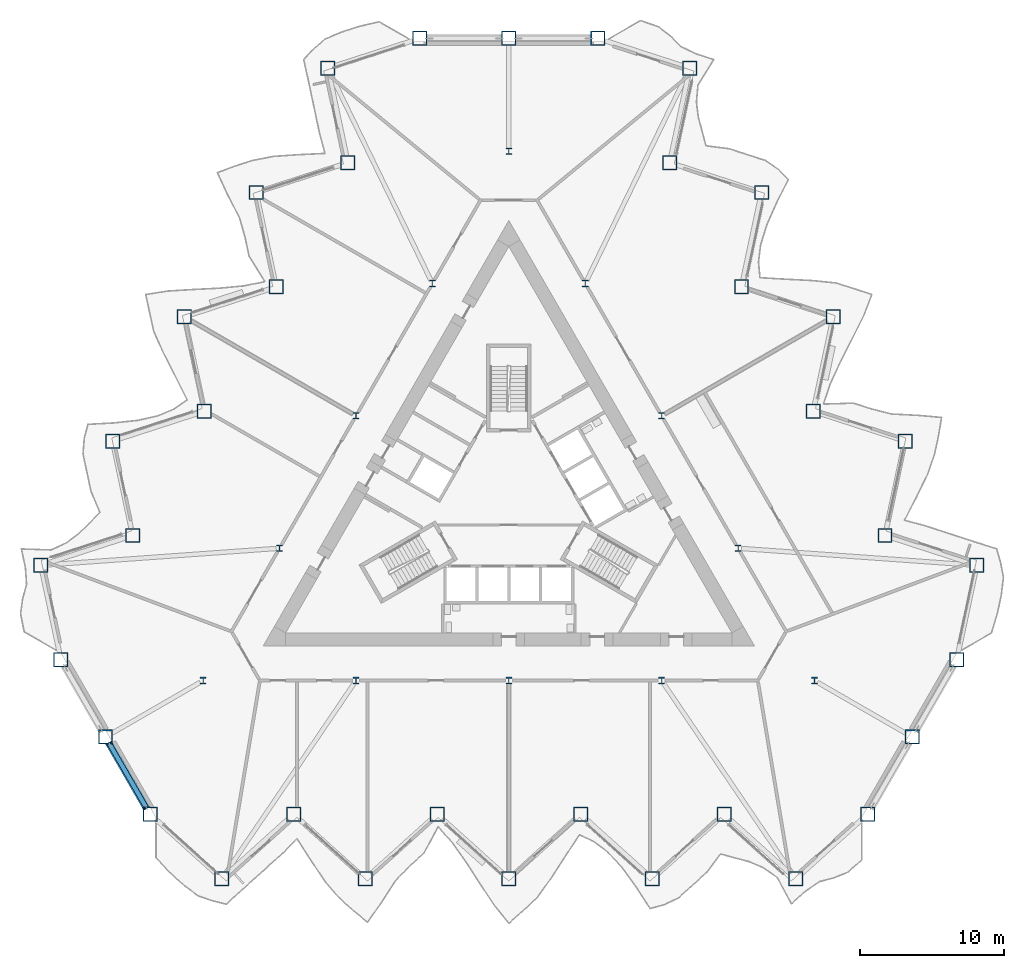
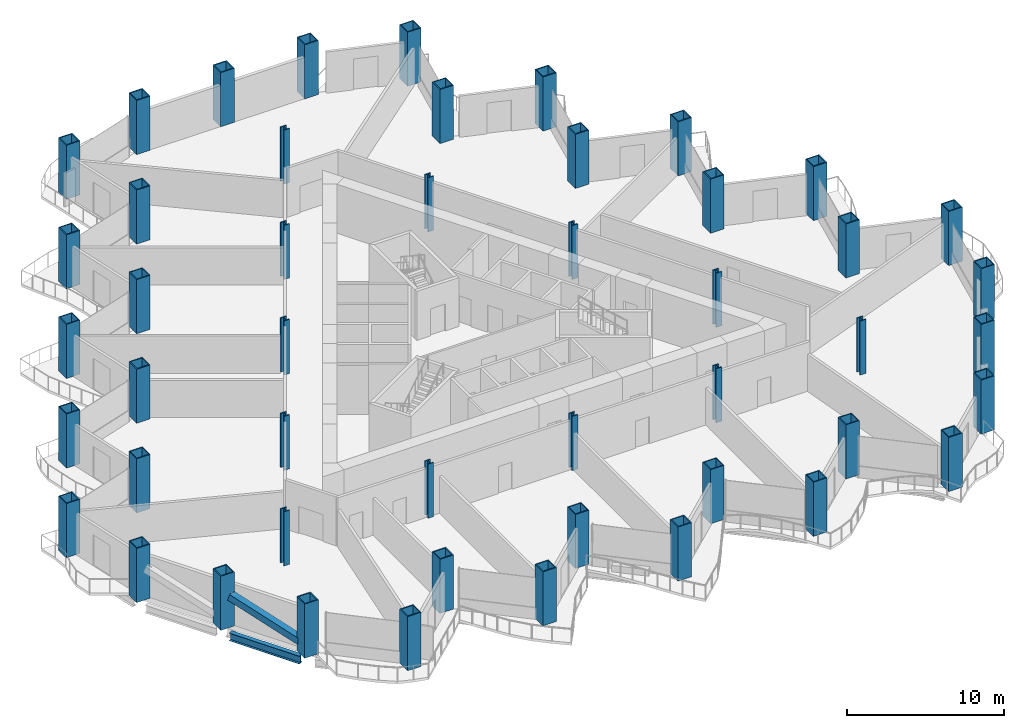
# One storey, part 1 of 20: 48 columns, 1 beam, 1 member.
"""IFC4 building model written with IfcOpenShell, lengths in metres."""

from ifc_helpers import new_model, si_unit, direction, frame, origin, origin_2d, place, context, subcontext, project, spatial, hollow_rectangle, i_section, extrude, material, material_profile, profile_set, type_object, element, save


model = new_model("IFC4")

# Units and contexts
model_context = context("Model", 3, precision=1e-05, world=origin(), true_north=direction((0.0, 1.0)))
body_context = subcontext(model_context, "Body", "Model", "MODEL_VIEW")
ifc_project = project(units=[si_unit("LENGTHUNIT", "METRE"), si_unit("AREAUNIT", "SQUARE_METRE"), si_unit("VOLUMEUNIT", "CUBIC_METRE"), si_unit("PLANEANGLEUNIT", "RADIAN"), si_unit("MASSUNIT", "GRAM", prefix="KILO")], contexts=[model_context])

# Site, building, storey
site_placement = place(None, origin())
site = spatial("IfcSite", under=ifc_project, at=site_placement, CompositionType="ELEMENT")
building_placement = place(site_placement, origin())
building = spatial("IfcBuilding", under=site, at=building_placement, Name="Cormorant Prow Tower", CompositionType="ELEMENT")
storey_placement = place(building_placement, frame((0.0, 0.0, 59.39990234375)))
storey = spatial("IfcBuildingStorey", under=building, at=storey_placement, Name="L12", CompositionType="ELEMENT", Elevation=59.39990234375)

# Columns
ifc_material_1 = material(Name="Structural steel ASTM A572 Gr 50", Category="steel")
ifc_material_profile_1 = material_profile(ifc_material_1, hollow_rectangle(XDim=1.0, YDim=1.0, WallThickness=0.070068359375, at=origin_2d()), Name="Box 1000x1000x70")
ifc_profile_set_1 = profile_set([ifc_material_profile_1], Name="Structural steel ASTM A572 Gr 50")
column_type_1 = type_object("IfcColumnType", Name="Perimeter box column 1000x1000x70", PredefinedType="COLUMN", material=ifc_profile_set_1)
for number, where, z_axis, x_axis, name in (
    (1, (-24.830322265625, -21.4599609375, 0.0), (0.0, 0.0, 1.0), (1.0, 0.0, 0.0), "Perimeter column C2 at S00 L12"),
    (2, (-19.8642578125, -25.931396484375, 0.0), (0.0, 0.0, 1.0), (1.0, 0.0, 0.0), "Perimeter column C2 at S01 L12"),
    (3, (-14.898193359375, -21.4599609375, 0.0), (0.0, 0.0, 1.0), (1.0, 0.0, 0.0), "Perimeter column C2 at S02 L12"),
    (4, (-9.93212890625, -25.931396484375, 0.0), (0.0, 0.0, 1.0), (1.0, 0.0, 0.0), "Perimeter column C2 at S03 L12"),
    (5, (-4.966064453125, -21.4599609375, 0.0), (0.0, 0.0, 1.0), (1.0, 0.0, 0.0), "Perimeter column C2 at S04 L12"),
    (6, (0.0, -25.931396484375, 0.0), (0.0, 0.0, 1.0), (1.0, 0.0, 0.0), "Perimeter column C2 at S05 L12"),
    (7, (4.966064453125, -21.4599609375, 0.0), (0.0, 0.0, 1.0), (1.0, 0.0, 0.0), "Perimeter column C2 at S06 L12"),
    (8, (9.93212890625, -25.931396484375, 0.0), (0.0, 0.0, 1.0), (1.0, 0.0, 0.0), "Perimeter column C2 at S07 L12"),
    (9, (14.898193359375, -21.4599609375, 0.0), (0.0, 0.0, 1.0), (1.0, 0.0, 0.0), "Perimeter column C2 at S08 L12"),
    (10, (19.8642578125, -25.931396484375, 0.0), (0.0, 0.0, 1.0), (1.0, 0.0, 0.0), "Perimeter column C2 at S09 L12"),
    (11, (24.830322265625, -21.4599609375, 0.0), (0.0, 0.0, 1.0), (1.0, 0.0, 0.0), "Perimeter column C2 at ESE00 L12"),
    (12, (27.915283203125, -16.116943359375, 0.0), (0.0, 0.0, 1.0), (1.0, 0.0, 0.0), "Perimeter column C2 at ESE01 L12"),
    (13, (31.0, -10.773681640625, 0.0), (0.0, 0.0, 1.0), (1.0, 0.0, 0.0), "Perimeter column C2 at ENE00 L12"),
    (14, (32.389404296875, -4.2373046875, 0.0), (0.0, 0.0, 1.0), (1.0, 0.0, 0.0), "Perimeter column C2 at ENE01 L12"),
    (15, (26.033935546875, -2.17236328125, 0.0), (0.0, 0.0, 1.0), (1.0, 0.0, 0.0), "Perimeter column C2 at ENE02 L12"),
    (16, (27.42333984375, 4.3642578125, 0.0), (0.0, 0.0, 1.0), (1.0, 0.0, 0.0), "Perimeter column C2 at ENE03 L12"),
    (17, (21.06787109375, 6.42919921875, 0.0), (0.0, 0.0, 1.0), (1.0, 0.0, 0.0), "Perimeter column C2 at ENE04 L12"),
    (18, (22.457275390625, 12.965576171875, 0.0), (0.0, 0.0, 1.0), (1.0, 0.0, 0.0), "Perimeter column C2 at ENE05 L12"),
    (19, (16.101806640625, 15.03076171875, 0.0), (0.0, 0.0, 1.0), (1.0, 0.0, 0.0), "Perimeter column C2 at ENE06 L12"),
    (20, (17.4912109375, 21.567138671875, 0.0), (0.0, 0.0, 1.0), (1.0, 0.0, 0.0), "Perimeter column C2 at ENE07 L12"),
    (21, (11.1357421875, 23.632080078125, 0.0), (0.0, 0.0, 1.0), (1.0, 0.0, 0.0), "Perimeter column C2 at ENE08 L12"),
    (22, (12.525146484375, 30.168701171875, 0.0), (0.0, 0.0, 1.0), (1.0, 0.0, 0.0), "Perimeter column C2 at ENE09 L12"),
    (23, (6.169677734375, 32.233642578125, 0.0), (0.0, 0.0, 1.0), (1.0, 0.0, 0.0), "Perimeter column C2 at N00 L12"),
    (24, (0.0, 32.233642578125, 0.0), (0.0, 0.0, 1.0), (1.0, 0.0, 0.0), "Perimeter column C2 at N01 L12"),
    (25, (-6.169677734375, 32.233642578125, 0.0), (0.0, 0.0, 1.0), (1.0, 0.0, 0.0), "Perimeter column C2 at WNW00 L12"),
    (26, (-12.525146484375, 30.168701171875, 0.0), (0.0, 0.0, 1.0), (1.0, 0.0, 0.0), "Perimeter column C2 at WNW01 L12"),
    (27, (-11.1357421875, 23.632080078125, 0.0), (0.0, 0.0, 1.0), (1.0, 0.0, 0.0), "Perimeter column C2 at WNW02 L12"),
    (28, (-17.4912109375, 21.567138671875, 0.0), (0.0, 0.0, 1.0), (1.0, 0.0, 0.0), "Perimeter column C2 at WNW03 L12"),
    (29, (-16.101806640625, 15.03076171875, 0.0), (0.0, 0.0, 1.0), (1.0, 0.0, 0.0), "Perimeter column C2 at WNW04 L12"),
    (30, (-22.457275390625, 12.965576171875, 0.0), (0.0, 0.0, 1.0), (1.0, 0.0, 0.0), "Perimeter column C2 at WNW05 L12"),
    (31, (-21.06787109375, 6.42919921875, 0.0), (0.0, 0.0, 1.0), (1.0, 0.0, 0.0), "Perimeter column C2 at WNW06 L12"),
    (32, (-27.42333984375, 4.3642578125, 0.0), (0.0, 0.0, 1.0), (1.0, 0.0, 0.0), "Perimeter column C2 at WNW07 L12"),
    (33, (-26.033935546875, -2.17236328125, 0.0), (0.0, 0.0, 1.0), (1.0, 0.0, 0.0), "Perimeter column C2 at WNW08 L12"),
    (34, (-32.389404296875, -4.2373046875, 0.0), (0.0, 0.0, 1.0), (1.0, 0.0, 0.0), "Perimeter column C2 at WNW09 L12"),
    (35, (-31.0, -10.773681640625, 0.0), (0.0, 0.0, 1.0), (1.0, 0.0, 0.0), "Perimeter column C2 at WSW00 L12"),
    (36, (-27.915283203125, -16.116943359375, 0.0), (0.0, 0.0, 1.0), (1.0, 0.0, 0.0), "Perimeter column C2 at WSW01 L12"),
):
    element("IfcColumn", number, at=place(storey_placement, frame(where, z_axis=z_axis, x_axis=x_axis)), inside=storey, type_object=column_type_1, Name=name, PredefinedType="COLUMN", context=body_context, shape_type="SweptSolid", body=[
        extrude(hollow_rectangle(XDim=1.0, YDim=1.0, WallThickness=0.070068359375, at=origin_2d()), origin(), (0.0, 0.0, 1.0), 4.2001953125),
    ])
ifc_material_2 = material(Name="Structural steel ASTM A992 Gr 50", Category="steel")
ifc_material_profile_2 = material_profile(ifc_material_2, i_section(OverallWidth=0.42138671875, OverallDepth=0.464599609375, WebThickness=0.044921875, FlangeThickness=0.072265625, at=origin_2d()), Name="W14x398")
ifc_profile_set_2 = profile_set([ifc_material_profile_2], Name="Structural steel ASTM A992 Gr 50")
column_type_2 = type_object("IfcColumnType", Name="Ring column W14x398", PredefinedType="COLUMN", material=ifc_profile_set_2)
for number, where, z_axis, x_axis, name in (
    (37, (0.0, 24.429931640625, 0.0), (0.0, 0.0, 1.0), (1.0, 0.0, 0.0), "Ring column 1 L12"),
    (38, (-5.289306640625, 15.268798828125, 0.0), (0.0, 0.0, 1.0), (1.0, 0.0, 0.0), "Ring column 2 L12"),
    (39, (-10.578369140625, 6.107421875, 0.0), (0.0, 0.0, 1.0), (1.0, 0.0, 0.0), "Ring column 3 L12"),
    (40, (-15.86767578125, -3.0537109375, 0.0), (0.0, 0.0, 1.0), (1.0, 0.0, 0.0), "Ring column 4 L12"),
    (41, (-21.156982421875, -12.21484375, 0.0), (0.0, 0.0, 1.0), (1.0, 0.0, 0.0), "Ring column 5 L12"),
    (42, (-10.578369140625, -12.21484375, 0.0), (0.0, 0.0, 1.0), (1.0, 0.0, 0.0), "Ring column 6 L12"),
    (43, (0.0, -12.21484375, 0.0), (0.0, 0.0, 1.0), (1.0, 0.0, 0.0), "Ring column 7 L12"),
    (44, (10.578369140625, -12.21484375, 0.0), (0.0, 0.0, 1.0), (1.0, 0.0, 0.0), "Ring column 8 L12"),
    (45, (21.156982421875, -12.21484375, 0.0), (0.0, 0.0, 1.0), (1.0, 0.0, 0.0), "Ring column 9 L12"),
    (46, (15.86767578125, -3.0537109375, 0.0), (0.0, 0.0, 1.0), (1.0, 0.0, 0.0), "Ring column 10 L12"),
    (47, (10.578369140625, 6.107421875, 0.0), (0.0, 0.0, 1.0), (1.0, 0.0, 0.0), "Ring column 11 L12"),
    (48, (5.289306640625, 15.268798828125, 0.0), (0.0, 0.0, 1.0), (1.0, 0.0, 0.0), "Ring column 12 L12"),
):
    element("IfcColumn", number, at=place(storey_placement, frame(where, z_axis=z_axis, x_axis=x_axis)), inside=storey, type_object=column_type_2, Name=name, PredefinedType="COLUMN", context=body_context, shape_type="SweptSolid", body=[
        extrude(i_section(OverallWidth=0.42138671875, OverallDepth=0.464599609375, WebThickness=0.044921875, FlangeThickness=0.072265625, at=origin_2d()), origin(), (0.0, 0.0, 1.0), 4.2001953125),
    ])

# Member
ifc_material_3 = material(Name="Structural steel ASTM A500 Gr C", Category="steel")
ifc_material_profile_3 = material_profile(ifc_material_3, hollow_rectangle(XDim=0.508056640625, YDim=0.508056640625, WallThickness=0.014892578125, at=origin_2d()), Name="HSS20x20x5/8")
ifc_profile_set_3 = profile_set([ifc_material_profile_3], Name="Structural steel ASTM A500 Gr C")
member_type = type_object("IfcMemberType", Name="Chamfer brace HSS20x20x5/8", PredefinedType="BRACE", material=ifc_profile_set_3)
member_placement = place(storey_placement, frame((-25.089599609375, -21.0107421875, 0.767333984375), z_axis=(-0.47589308504, 0.824244468952, 0.306833549359), x_axis=(-0.866018434186, -0.500012071504, 0.0)))
element("IfcMember", 49, at=member_placement, inside=storey, type_object=member_type, Name="Chamfer brace BR1 at WSW01 L12", PredefinedType="BRACE", context=body_context, shape_type="SweptSolid", body=[
    extrude(hollow_rectangle(XDim=0.508056640625, YDim=0.508056640625, WallThickness=0.014892578125, at=origin_2d()), origin(), (0.0, 0.0, 1.0), 5.392333984375),
])

# Beam
ifc_material_4 = material(Name="Structural steel ASTM A992 Gr 50", Category="steel")
ifc_material_profile_4 = material_profile(ifc_material_4, i_section(OverallWidth=0.32373046875, OverallDepth=0.611083984375, WebThickness=0.0126953125, FlangeThickness=0.01904296875, at=origin_2d()), Name="W24x104")
ifc_profile_set_4 = profile_set([ifc_material_profile_4], Name="Structural steel ASTM A992 Gr 50")
beam_type = type_object("IfcBeamType", Name="Spandrel beam W24x104", PredefinedType="SPANDREL", material=ifc_profile_set_4)
beam_placement = place(storey_placement, frame((-27.665283203125, -16.5498046875, -0.70556640625), z_axis=(0.500019507279, -0.866014140959, 0.0), x_axis=(0.866014140959, 0.500019507279, 0.0)))
element("IfcBeam", 50, at=beam_placement, inside=storey, type_object=beam_type, Name="Spandrel beam SB1 WSW01-S00 L12", PredefinedType="SPANDREL", context=body_context, shape_type="SweptSolid", body=[
    extrude(i_section(OverallWidth=0.32373046875, OverallDepth=0.611083984375, WebThickness=0.0126953125, FlangeThickness=0.01904296875, at=origin_2d()), origin(), (0.0, 0.0, 1.0), 5.169677734375),
])

save(model, "model.ifc")
